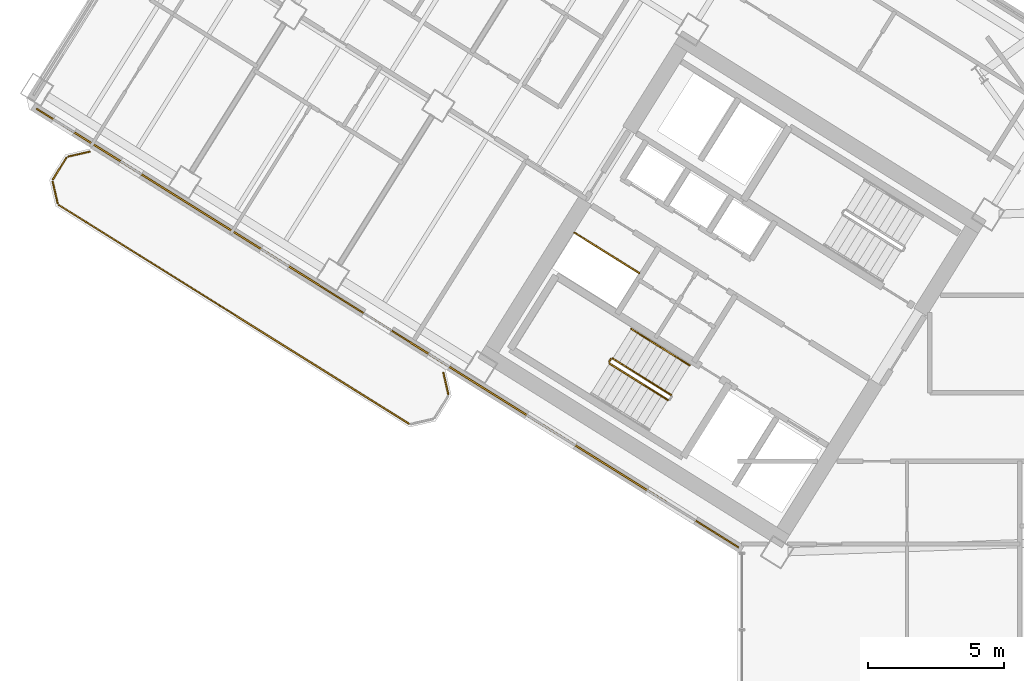
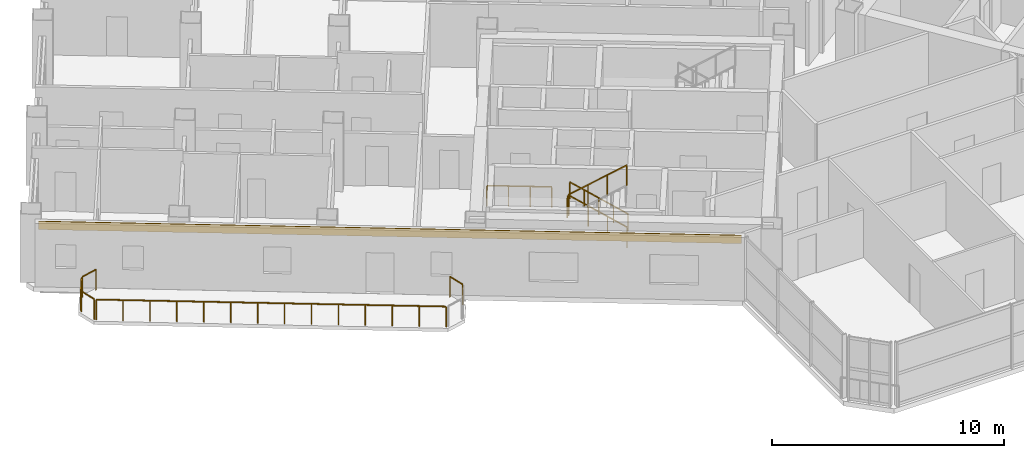
# One storey, part 18 of 21: 11 railings, 1 covering.
"""IFC4 building model written with IfcOpenShell, lengths in metres."""

from ifc_helpers import new_model, si_unit, direction, frame, origin, origin_2d, place, context, subcontext, project, spatial, rectangle, extrude, source, transform, mapped, material, layer, layer_set, type_object, element, save


model = new_model("IFC4")

# Units and contexts
model_context = context("Model", 3, precision=1e-05, world=origin(), true_north=direction((0.0, 1.0)))
body_context = subcontext(model_context, "Body", "Model", "MODEL_VIEW")
ifc_project = project(units=[si_unit("LENGTHUNIT", "METRE"), si_unit("AREAUNIT", "SQUARE_METRE"), si_unit("VOLUMEUNIT", "CUBIC_METRE"), si_unit("PLANEANGLEUNIT", "RADIAN"), si_unit("MASSUNIT", "GRAM", prefix="KILO")], contexts=[model_context])

# Site, building, storey
site_placement = place(None, origin())
site = spatial("IfcSite", under=ifc_project, at=site_placement, CompositionType="ELEMENT")
building_placement = place(site_placement, origin())
building = spatial("IfcBuilding", under=site, at=building_placement, Name="Tlacorven Tower", CompositionType="ELEMENT")
storey_placement = place(building_placement, frame((0.0, 0.0, 112.5)))
storey = spatial("IfcBuildingStorey", under=building, at=storey_placement, Name="L28", CompositionType="ELEMENT", Elevation=112.5)

# Railings
ifc_material_1 = material(Name="Aluminium and painted steel balustrade", Category="steel")
railing_type_1 = type_object("IfcRailingType", Name="RL-GRD-1100", PredefinedType="GUARDRAIL", material=ifc_material_1)
shared_shape_1 = source(origin(), body_context, "Body", "SweptSolid", [
    extrude(rectangle(XDim=0.048095703125, YDim=0.048095703125, at=origin_2d()), frame((0.0, 0.0, 1.076171875), z_axis=(-0.848091358275, 0.529850024081, 0.0), x_axis=(-0.529850024081, -0.848091358275, 0.0)), (0.0, 0.0, 1.0), 2.800048828125),
    extrude(rectangle(XDim=0.0419921875, YDim=0.0419921875, at=origin_2d()), origin(), (0.0, 0.0, 1.0), 1.052001953125),
    extrude(rectangle(XDim=0.0419921875, YDim=0.0419921875, at=origin_2d()), frame((-0.79150390625, 0.49462890625, 0.0)), (0.0, 0.0, 1.0), 1.052001953125),
    extrude(rectangle(XDim=0.0419921875, YDim=0.0419921875, at=origin_2d()), frame((-1.583251953125, 0.989013671875, 0.0)), (0.0, 0.0, 1.0), 1.052001953125),
    extrude(rectangle(XDim=0.0419921875, YDim=0.0419921875, at=origin_2d()), frame((-2.374755859375, 1.483642578125, 0.0)), (0.0, 0.0, 1.0), 1.052001953125),
])
railing_1_placement = place(storey_placement, frame((27.9912109375, 22.32080078125, 0.0)))
element("IfcRailing", 1, at=railing_1_placement, inside=storey, type_object=railing_type_1, Name="L28 Electrical Riser W Shaft Guard 1", PredefinedType="GUARDRAIL", context=body_context, shape_type="MappedRepresentation", body=[
    mapped(shared_shape_1, transform((0.0, 0.0, 0.0), scale=1.0)),
])
railing_type_2 = type_object("IfcRailingType", Name="RL-BAL-1100", PredefinedType="BALUSTRADE", material=ifc_material_1)
shared_shape_2 = source(origin(), body_context, "Body", "SweptSolid", [
    extrude(rectangle(XDim=0.048095703125, YDim=0.048095703125, at=origin_2d()), frame((0.0, 0.0, 1.076171875), z_axis=(0.225058334816, -0.974345290916, 0.0), x_axis=(0.974345290916, 0.225058334816, 0.0)), (0.0, 0.0, 1.0), 0.80712890625),
    extrude(rectangle(XDim=0.0419921875, YDim=0.0419921875, at=origin_2d()), origin(), (0.0, 0.0, 1.0), 1.052001953125),
    extrude(rectangle(XDim=0.0419921875, YDim=0.0419921875, at=origin_2d()), frame((0.181640625, -0.786376953125, 0.0)), (0.0, 0.0, 1.0), 1.052001953125),
])
railing_2_placement = place(storey_placement, frame((20.809814453125, 18.671142578125, 0.0)))
element("IfcRailing", 2, at=railing_2_placement, inside=storey, type_object=railing_type_2, Name="BAL-L28-W-OUT Guard Railing 1", PredefinedType="BALUSTRADE", context=body_context, shape_type="MappedRepresentation", body=[
    mapped(shared_shape_2, transform((0.0, 0.0, 0.0), scale=1.0)),
])
shared_shape_3 = source(origin(), body_context, "Body", "SweptSolid", [
    extrude(rectangle(XDim=0.048095703125, YDim=0.048095703125, at=origin_2d()), frame((0.0, 0.0, 1.076171875), z_axis=(-0.225058334816, 0.974345290916, 0.0), x_axis=(-0.974345290916, -0.225058334816, 0.0)), (0.0, 0.0, 1.0), 0.80712890625),
    extrude(rectangle(XDim=0.0419921875, YDim=0.0419921875, at=origin_2d()), origin(), (0.0, 0.0, 1.0), 1.052001953125),
    extrude(rectangle(XDim=0.0419921875, YDim=0.0419921875, at=origin_2d()), frame((-0.181640625, 0.786376953125, 0.0)), (0.0, 0.0, 1.0), 1.052001953125),
])
railing_3_placement = place(storey_placement, frame((6.66650390625, 24.88623046875, 0.0)))
element("IfcRailing", 3, at=railing_3_placement, inside=storey, type_object=railing_type_2, Name="BAL-L28-W-OUT Guard Railing 5", PredefinedType="BALUSTRADE", context=body_context, shape_type="MappedRepresentation", body=[
    mapped(shared_shape_3, transform((0.0, 0.0, 0.0), scale=1.0)),
])
shared_shape_4 = source(origin(), body_context, "Body", "SweptSolid", [
    extrude(rectangle(XDim=0.048095703125, YDim=0.048095703125, at=origin_2d()), frame((0.0, 0.0, 1.076171875), z_axis=(0.974411586182, 0.224771129628, 0.0), x_axis=(-0.224771129628, 0.974411586182, 0.0)), (0.0, 0.0, 1.0), 0.80712890625),
    extrude(rectangle(XDim=0.0419921875, YDim=0.0419921875, at=origin_2d()), origin(), (0.0, 0.0, 1.0), 1.052001953125),
    extrude(rectangle(XDim=0.0419921875, YDim=0.0419921875, at=origin_2d()), frame((0.786376953125, 0.181396484375, 0.0)), (0.0, 0.0, 1.0), 1.052001953125),
])
railing_4_placement = place(storey_placement, frame((7.05859375, 26.591064453125, 0.0)))
element("IfcRailing", 4, at=railing_4_placement, inside=storey, type_object=railing_type_2, Name="BAL-L28-W-OUT Guard Railing 7", PredefinedType="BALUSTRADE", context=body_context, shape_type="MappedRepresentation", body=[
    mapped(shared_shape_4, transform((0.0, 0.0, 0.0), scale=1.0)),
])
shared_shape_5 = source(origin(), body_context, "Body", "SweptSolid", [
    extrude(rectangle(XDim=0.048095703125, YDim=0.048095703125, at=origin_2d()), frame((0.0, 0.0, 1.076171875), z_axis=(0.529998940003, 0.847998304005, 0.0), x_axis=(-0.847998304005, 0.529998940003, 0.0)), (0.0, 0.0, 1.0), 0.912109375),
    extrude(rectangle(XDim=0.0419921875, YDim=0.0419921875, at=origin_2d()), origin(), (0.0, 0.0, 1.0), 1.052001953125),
    extrude(rectangle(XDim=0.0419921875, YDim=0.0419921875, at=origin_2d()), frame((0.4833984375, 0.7734375, 0.0)), (0.0, 0.0, 1.0), 1.052001953125),
])
railing_5_placement = place(storey_placement, frame((6.5, 25.763916015625, 0.0)))
element("IfcRailing", 5, at=railing_5_placement, inside=storey, type_object=railing_type_2, Name="BAL-L28-W-OUT Guard Railing 6", PredefinedType="BALUSTRADE", context=body_context, shape_type="MappedRepresentation", body=[
    mapped(shared_shape_5, transform((0.0, 0.0, 0.0), scale=1.0)),
])

# Covering
ifc_material_2 = material(Name="Precast concrete C45/55", Category="concrete")
ifc_layer = layer(ifc_material_2, 0.06005859375)
ifc_layer_set = layer_set([ifc_layer], Name="Precast concrete C45/55")
covering_type = type_object("IfcCoveringType", Name="CV-CLD-TERC", PredefinedType="CLADDING", material=ifc_layer_set)
shared_shape_6 = source(origin(), body_context, "Body", "SweptSolid", [
    extrude(rectangle(XDim=30.35205078125, YDim=0.06005859375, at=origin_2d()), origin(), (0.0, 0.0, 1.0), 0.419921875),
])
covering_placement = place(storey_placement, frame((18.7626953125, 20.3046875, 2.929931640625), z_axis=(0.0, 0.0, 1.0), x_axis=(-0.848048152806, 0.529919173576, 0.0)))
element("IfcCovering", 6, at=covering_placement, inside=storey, type_object=covering_type, Name="L28 Masonry-Frame Spandrel Cladding 1", PredefinedType="CLADDING", context=body_context, shape_type="MappedRepresentation", body=[
    mapped(shared_shape_6, transform((0.0, 0.0, 0.0), scale=1.0)),
])

# Railings
shared_shape_7 = source(origin(), body_context, "Body", "SweptSolid", [
    extrude(rectangle(XDim=0.048095703125, YDim=0.048095703125, at=origin_2d()), frame((0.0, 0.0, 1.076171875), z_axis=(-0.848051830527, 0.529913287944, 0.0), x_axis=(-0.529913287944, -0.848051830527, 0.0)), (0.0, 0.0, 1.0), 15.1171875),
    extrude(rectangle(XDim=0.0419921875, YDim=0.0419921875, at=origin_2d()), origin(), (0.0, 0.0, 1.0), 1.052001953125),
    extrude(rectangle(XDim=0.0419921875, YDim=0.0419921875, at=origin_2d()), frame((-0.986083984375, 0.6162109375, 0.0)), (0.0, 0.0, 1.0), 1.052001953125),
    extrude(rectangle(XDim=0.0419921875, YDim=0.0419921875, at=origin_2d()), frame((-1.972412109375, 1.232421875, 0.0)), (0.0, 0.0, 1.0), 1.052001953125),
    extrude(rectangle(XDim=0.0419921875, YDim=0.0419921875, at=origin_2d()), frame((-2.95849609375, 1.8486328125, 0.0)), (0.0, 0.0, 1.0), 1.052001953125),
    extrude(rectangle(XDim=0.0419921875, YDim=0.0419921875, at=origin_2d()), frame((-3.944580078125, 2.46484375, 0.0)), (0.0, 0.0, 1.0), 1.052001953125),
    extrude(rectangle(XDim=0.0419921875, YDim=0.0419921875, at=origin_2d()), frame((-4.930908203125, 3.0810546875, 0.0)), (0.0, 0.0, 1.0), 1.052001953125),
    extrude(rectangle(XDim=0.0419921875, YDim=0.0419921875, at=origin_2d()), frame((-5.9169921875, 3.697265625, 0.0)), (0.0, 0.0, 1.0), 1.052001953125),
    extrude(rectangle(XDim=0.0419921875, YDim=0.0419921875, at=origin_2d()), frame((-6.903076171875, 4.3134765625, 0.0)), (0.0, 0.0, 1.0), 1.052001953125),
    extrude(rectangle(XDim=0.0419921875, YDim=0.0419921875, at=origin_2d()), frame((-7.88916015625, 4.9296875, 0.0)), (0.0, 0.0, 1.0), 1.052001953125),
    extrude(rectangle(XDim=0.0419921875, YDim=0.0419921875, at=origin_2d()), frame((-8.87548828125, 5.5458984375, 0.0)), (0.0, 0.0, 1.0), 1.052001953125),
    extrude(rectangle(XDim=0.0419921875, YDim=0.0419921875, at=origin_2d()), frame((-9.861572265625, 6.162109375, 0.0)), (0.0, 0.0, 1.0), 1.052001953125),
    extrude(rectangle(XDim=0.0419921875, YDim=0.0419921875, at=origin_2d()), frame((-10.84765625, 6.7783203125, 0.0)), (0.0, 0.0, 1.0), 1.052001953125),
    extrude(rectangle(XDim=0.0419921875, YDim=0.0419921875, at=origin_2d()), frame((-11.833984375, 7.39453125, 0.0)), (0.0, 0.0, 1.0), 1.052001953125),
    extrude(rectangle(XDim=0.0419921875, YDim=0.0419921875, at=origin_2d()), frame((-12.820068359375, 8.0107421875, 0.0)), (0.0, 0.0, 1.0), 1.052001953125),
])
railing_6_placement = place(storey_placement, frame((19.5400390625, 16.80029296875, 0.0)))
element("IfcRailing", 7, at=railing_6_placement, inside=storey, type_object=railing_type_2, Name="BAL-L28-W-OUT Guard Railing 4", PredefinedType="BALUSTRADE", context=body_context, shape_type="MappedRepresentation", body=[
    mapped(shared_shape_7, transform((0.0, 0.0, 0.0), scale=1.0)),
])
shared_shape_8 = source(origin(), body_context, "Body", "SweptSolid", [
    extrude(rectangle(XDim=0.048095703125, YDim=0.048095703125, at=origin_2d()), frame((0.0, 0.0, 1.076171875), z_axis=(-0.713319727316, 0.445773895627, 0.540796265334), x_axis=(-0.529955395941, -0.84802551749, 0.0)), (0.0, 0.0, 1.0), 2.995849609375),
    extrude(rectangle(XDim=0.0419921875, YDim=0.0419921875, at=origin_2d()), origin(), (0.0, 0.0, 1.0), 1.052001953125),
    extrude(rectangle(XDim=0.0419921875, YDim=0.0419921875, at=origin_2d()), frame((-0.71240234375, 0.445068359375, 0.5400390625)), (0.0, 0.0, 1.0), 1.052001953125),
    extrude(rectangle(XDim=0.0419921875, YDim=0.0419921875, at=origin_2d()), frame((-1.424560546875, 0.890380859375, 1.080078125)), (0.0, 0.0, 1.0), 1.052001953125),
    extrude(rectangle(XDim=0.0419921875, YDim=0.0419921875, at=origin_2d()), frame((-2.136962890625, 1.33544921875, 1.6201171875)), (0.0, 0.0, 1.0), 1.052001953125),
])
railing_7_placement = place(storey_placement, frame((29.16064453125, 17.851806640625, 0.179931640625)))
element("IfcRailing", 8, at=railing_7_placement, inside=storey, type_object=railing_type_1, Name="L28 ST-W1 stair guard 1", PredefinedType="GUARDRAIL", context=body_context, shape_type="MappedRepresentation", body=[
    mapped(shared_shape_8, transform((0.0, 0.0, 0.0), scale=1.0)),
])
shared_shape_9 = source(origin(), body_context, "Body", "SweptSolid", [
    extrude(rectangle(XDim=0.048095703125, YDim=0.048095703125, at=origin_2d()), frame((0.0, 0.0, 1.076171875), z_axis=(-0.530546985787, -0.847655529016, 0.0), x_axis=(0.847655529016, -0.530546985787, 0.0)), (0.0, 0.0, 1.0), 0.1201171875),
    extrude(rectangle(XDim=0.0419921875, YDim=0.0419921875, at=origin_2d()), origin(), (0.0, 0.0, 1.0), 1.052001953125),
    extrude(rectangle(XDim=0.0419921875, YDim=0.0419921875, at=origin_2d()), frame((-0.063720703125, -0.101806640625, 0.0)), (0.0, 0.0, 1.0), 1.052001953125),
])
railing_8_placement = place(storey_placement, frame((26.954833984375, 19.17138671875, 1.800048828125)))
element("IfcRailing", 9, at=railing_8_placement, inside=storey, type_object=railing_type_1, Name="L28 ST-W1 stair guard 2", PredefinedType="GUARDRAIL", context=body_context, shape_type="MappedRepresentation", body=[
    mapped(shared_shape_9, transform((0.0, 0.0, 0.0), scale=1.0)),
])
shared_shape_10 = source(origin(), body_context, "Body", "SweptSolid", [
    extrude(rectangle(XDim=0.048095703125, YDim=0.048095703125, at=origin_2d()), frame((0.0, 0.0, 1.076171875), z_axis=(0.713359751793, -0.4457479829, 0.540764828981), x_axis=(0.529911857636, 0.848052724267, 0.0)), (0.0, 0.0, 1.0), 2.99609375),
    extrude(rectangle(XDim=0.0419921875, YDim=0.0419921875, at=origin_2d()), origin(), (0.0, 0.0, 1.0), 1.052001953125),
    extrude(rectangle(XDim=0.0419921875, YDim=0.0419921875, at=origin_2d()), frame((0.71240234375, -0.445068359375, 0.5400390625)), (0.0, 0.0, 1.0), 1.052001953125),
    extrude(rectangle(XDim=0.0419921875, YDim=0.0419921875, at=origin_2d()), frame((1.4248046875, -0.890380859375, 1.080078125)), (0.0, 0.0, 1.0), 1.052001953125),
    extrude(rectangle(XDim=0.0419921875, YDim=0.0419921875, at=origin_2d()), frame((2.13720703125, -1.33544921875, 1.6201171875)), (0.0, 0.0, 1.0), 1.052001953125),
])
railing_9_placement = place(storey_placement, frame((26.906982421875, 19.000732421875, 1.97998046875)))
element("IfcRailing", 10, at=railing_9_placement, inside=storey, type_object=railing_type_1, Name="L28 ST-W1 stair guard 3", PredefinedType="GUARDRAIL", context=body_context, shape_type="MappedRepresentation", body=[
    mapped(shared_shape_10, transform((0.0, 0.0, 0.0), scale=1.0)),
])
railing_type_3 = type_object("IfcRailingType", Name="RL-HND-0900", PredefinedType="HANDRAIL", material=ifc_material_1)
shared_shape_11 = source(origin(), body_context, "Body", "SweptSolid", [
    extrude(rectangle(XDim=0.048095703125, YDim=0.048095703125, at=origin_2d()), frame((0.0, 0.0, 0.8759765625), z_axis=(-0.713359751793, 0.4457479829, 0.540764828981), x_axis=(-0.529911857636, -0.848052724267, 0.0)), (0.0, 0.0, 1.0), 1.498046875),
    extrude(rectangle(XDim=0.0419921875, YDim=0.0419921875, at=origin_2d()), origin(), (0.0, 0.0, 1.0), 0.851806640625),
    extrude(rectangle(XDim=0.0419921875, YDim=0.0419921875, at=origin_2d()), frame((-0.5341796875, 0.333984375, 0.405029296875)), (0.0, 0.0, 1.0), 0.851806640625),
    extrude(rectangle(XDim=0.0419921875, YDim=0.0419921875, at=origin_2d()), frame((-1.068603515625, 0.667724609375, 0.81005859375)), (0.0, 0.0, 1.0), 0.851806640625),
])
for number, where, name in (
    (11, (29.839111328125, 18.937255859375, 0.179931640625), "L28 ST-W1 stair handrail 1"),
    (12, (28.7705078125, 19.60498046875, 0.989990234375), "L28 ST-W1 stair handrail 2"),
):
    element("IfcRailing", number, at=place(storey_placement, frame(where)), inside=storey, type_object=railing_type_3, Name=name, PredefinedType="HANDRAIL", context=body_context, shape_type="MappedRepresentation", body=[
        mapped(shared_shape_11, transform((0.0, 0.0, 0.0), scale=1.0)),
    ])

save(model, "model.ifc")
